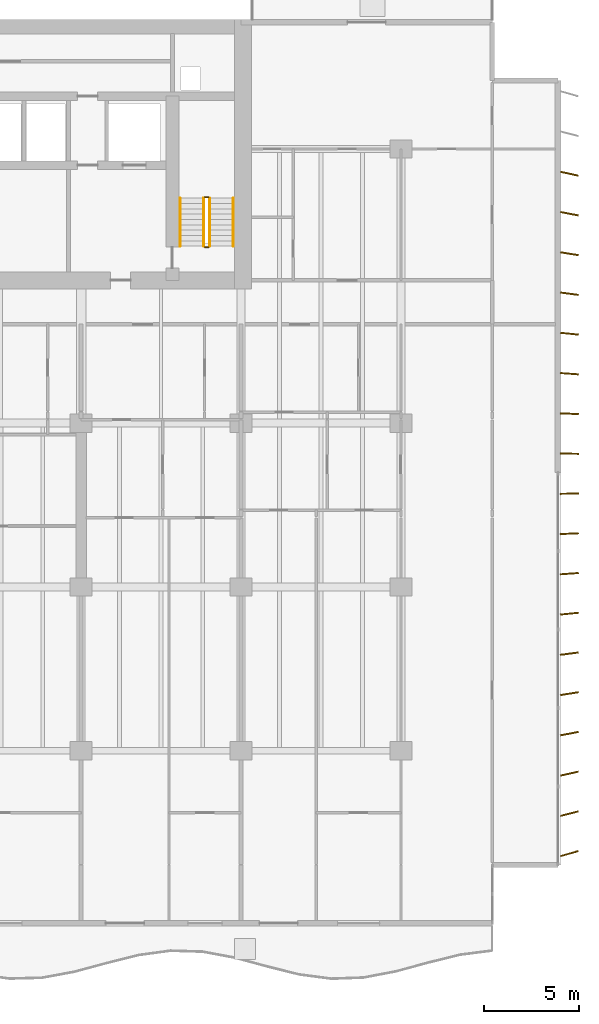
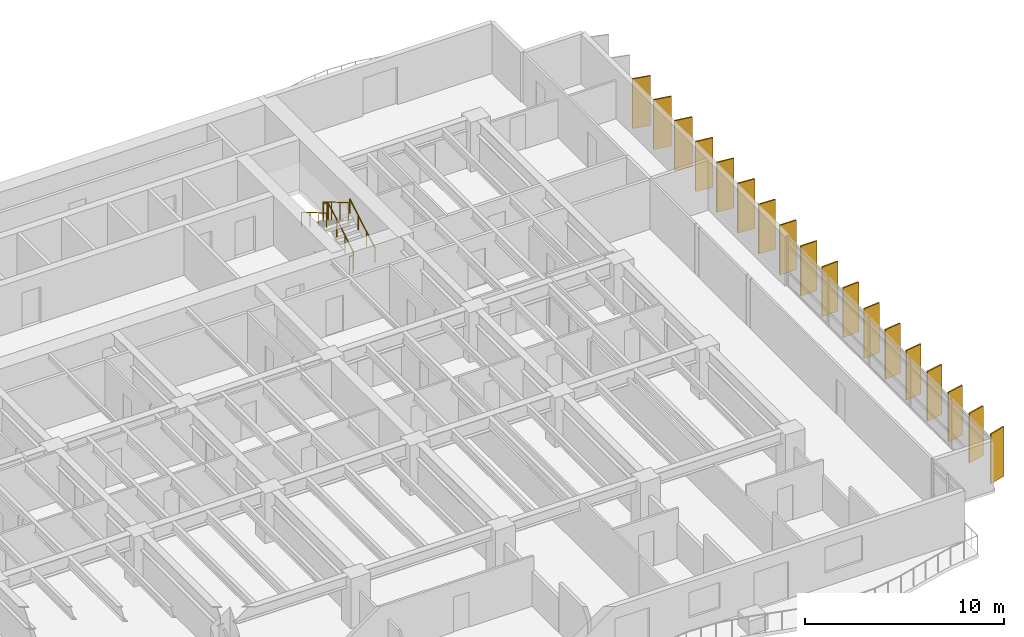
# One storey, part 16 of 17: 18 shading devices, 6 railings.
"""IFC4 building model written with IfcOpenShell, lengths in metres."""

import ifcopenshell
import ifcopenshell.guid

model = None  # the IFC model being written
_history = None  # IfcOwnerHistory: only IFC2X3 demands one
_inside = {}  # id of a spatial element -> (the spatial element, [elements in it])
_under = {}  # id of a project, library or spatial element -> (it, [spatial elements below it])
_declared = {}  # id of a project -> (the project, [libraries it declares])
_typed = {}  # id of a type object -> (the type object, [elements of that type])
_made_of = {}  # id of a material, layer set ... -> (it, [elements and type objects made of it])


def new_model(schema):
    """Start an empty IFC model of exactly this schema.

    Asked for "IFC4X3", IfcOpenShell would pick the latest addendum, in which some entities
    have other attributes; the version numbers below select the first issue.
    IFC2X3 requires an IfcOwnerHistory on every rooted entity: one is made here for all.
    """
    global model, _history
    if schema == "IFC4X3":
        model = ifcopenshell.file(schema_version=(4, 3, 0, 0))
    else:
        model = ifcopenshell.file(schema=schema)
    _inside.clear()
    _under.clear()
    _declared.clear()
    _typed.clear()
    _made_of.clear()
    _history = None
    if model.schema == "IFC2X3":
        org = make("IfcOrganization", Name="unknown")
        user = make(
            "IfcPersonAndOrganization",
            ThePerson=make("IfcPerson", FamilyName="unknown"),
            TheOrganization=org,
        )
        app = make(
            "IfcApplication",
            ApplicationDeveloper=org,
            Version="unknown",
            ApplicationFullName="unknown",
            ApplicationIdentifier="unknown",
        )
        _history = make(
            "IfcOwnerHistory",
            OwningUser=user,
            OwningApplication=app,
            ChangeAction="ADDED",
            CreationDate=0,
        )
    return model


def make(cls, **values):
    """One entity of the class cls with the attributes given. An attribute that is None is left unset."""
    return model.create_entity(
        cls, **{name: value for name, value in values.items() if value is not None}
    )


def rooted(cls, **values):
    """An entity with a GlobalId (a new one), such as an element, a storey or a relation."""
    return make(cls, GlobalId=ifcopenshell.guid.new(), OwnerHistory=_history, **values)


def si_unit(unit_type, name, prefix=None):
    """IfcSIUnit, for example si_unit("LENGTHUNIT", "METRE", prefix="MILLI")."""
    return make("IfcSIUnit", UnitType=unit_type, Prefix=prefix, Name=name)


def assignment(units):
    """IfcUnitAssignment: the units of a project."""
    return None if units is None else make("IfcUnitAssignment", Units=units)


def point(xyz):
    """IfcCartesianPoint."""
    return None if xyz is None else make("IfcCartesianPoint", Coordinates=xyz)


def direction(xyz):
    """IfcDirection."""
    return None if xyz is None else make("IfcDirection", DirectionRatios=xyz)


def frame(location, z_axis=None, x_axis=None):
    """IfcAxis2Placement3D, a coordinate frame: its origin and axes. An axis left out is left unset."""
    return make(
        "IfcAxis2Placement3D",
        Location=point(location),
        Axis=direction(z_axis),
        RefDirection=direction(x_axis),
    )


def frame_2d(location, x_axis=None):
    """IfcAxis2Placement2D, a coordinate frame in the plane: its origin and x axis."""
    return make(
        "IfcAxis2Placement2D", Location=point(location), RefDirection=direction(x_axis)
    )


def origin():
    """The frame at (0, 0, 0) with its axes left unset."""
    return frame((0.0, 0.0, 0.0))


def origin_2d():
    """The frame at (0, 0) in the plane with its x axis left unset."""
    return frame_2d((0.0, 0.0))


def place(relative_to, where):
    """IfcLocalPlacement: puts the frame where relative to a parent placement (None: the world)."""
    return make(
        "IfcLocalPlacement", PlacementRelTo=relative_to, RelativePlacement=where
    )


def context(
    kind, dimensions, precision=None, world=None, true_north=None, identifier=None
):
    """IfcGeometricRepresentationContext, for example the 3D "Model" context."""
    return make(
        "IfcGeometricRepresentationContext",
        ContextIdentifier=identifier,
        ContextType=kind,
        CoordinateSpaceDimension=dimensions,
        Precision=precision,
        WorldCoordinateSystem=world,
        TrueNorth=true_north,
    )


def subcontext(parent, identifier, kind, view, scale=None):
    """IfcGeometricRepresentationSubContext, for example "Body" below "Model"."""
    return make(
        "IfcGeometricRepresentationSubContext",
        ContextIdentifier=identifier,
        ContextType=kind,
        ParentContext=parent,
        TargetScale=scale,
        TargetView=view,
    )


def project(units=None, contexts=None):
    """IfcProject with its units and contexts."""
    return rooted(
        "IfcProject",
        Name="project",
        RepresentationContexts=contexts,
        UnitsInContext=assignment(units),
    )


def spatial(cls, under=None, at=None, **own):
    """A site, building, storey or space (cls), placed at a placement, below another one or the project."""
    s = rooted(cls, ObjectPlacement=at, **own)
    if under is not None:
        _under.setdefault(under.id(), (under, []))[1].append(s)
    return s


def profile(cls, at=None, kind="AREA", **sizes):
    """A parametric profile (cls). Its sizes go by their IFC names, for example OverallWidth=200.0."""
    return make(cls, ProfileType=kind, Position=at, **sizes)


def rectangle(**sizes):
    """IfcRectangleProfileDef."""
    return profile("IfcRectangleProfileDef", **sizes)


def circle(**sizes):
    """IfcCircleProfileDef."""
    return profile("IfcCircleProfileDef", **sizes)


def extrude(swept, where, along, depth):
    """IfcExtrudedAreaSolid: the profile swept, set in the frame where, extruded along a direction by depth."""
    return make(
        "IfcExtrudedAreaSolid",
        SweptArea=swept,
        Position=where,
        ExtrudedDirection=direction(along),
        Depth=depth,
    )


def shape(context_of_items, identifier, shape_type, items):
    """IfcShapeRepresentation: the items that make up one representation, for example the "Body"."""
    return make(
        "IfcShapeRepresentation",
        ContextOfItems=context_of_items,
        RepresentationIdentifier=identifier,
        RepresentationType=shape_type,
        Items=items,
    )


def material(Name=None, Category=None):
    """IfcMaterial."""
    return make("IfcMaterial", Name=Name, Category=Category)


def material_profile(
    of_material, cross_section, Name=None, Category=None, Priority=None
):
    """IfcMaterialProfile: a cross section and its material."""
    return make(
        "IfcMaterialProfile",
        Name=Name,
        Material=of_material,
        Profile=cross_section,
        Priority=Priority,
        Category=Category,
    )


def profile_set(profiles, Name=None, composite=None):
    """IfcMaterialProfileSet."""
    return make(
        "IfcMaterialProfileSet",
        Name=Name,
        MaterialProfiles=profiles,
        CompositeProfile=composite,
    )


def made_of(thing, what):
    """Note that an element or type object is made of a material, layer set ...; save() writes the relation."""
    if what is not None:
        _made_of.setdefault(what.id(), (what, []))[1].append(thing)
    return thing


def type_object(cls, material=None, **own):
    """A type object (cls), such as IfcWallType, which elements share."""
    return made_of(rooted(cls, **own), material)


def element(
    cls,
    number,
    at=None,
    inside=None,
    cuts=None,
    type_object=None,
    material=None,
    context=None,
    identifier="Body",
    shape_type=None,
    held_by="IfcProductDefinitionShape",
    body=None,
    shapes=None,
    **own,
):
    """One element of the class cls, such as IfcWall. Its Tag is "e" and its number.

    at: its placement. inside: the storey or other place that contains it. cuts: it is an
    opening in that element (IfcRelVoidsElement). A single representation is given by context,
    identifier, shape_type and body (its items); several are given by shapes. held_by: the class
    of the entity that holds the representations. save() writes the other relations.
    """
    e = rooted(cls, Tag="e%d" % number, ObjectPlacement=at, **own)
    if body is not None:
        shapes = [shape(context, identifier, shape_type, body)]
    if shapes is not None:
        e.Representation = make(held_by, Representations=shapes)
    if inside is not None:
        _inside.setdefault(inside.id(), (inside, []))[1].append(e)
    if cuts is not None:
        rooted(
            "IfcRelVoidsElement", RelatingBuildingElement=cuts, RelatedOpeningElement=e
        )
    if type_object is not None:
        _typed.setdefault(type_object.id(), (type_object, []))[1].append(e)
    return made_of(e, material)


def aggregate(whole, parts):
    """IfcRelAggregates: a whole, such as a stair, and the parts it consists of."""
    return rooted("IfcRelAggregates", RelatingObject=whole, RelatedObjects=parts)


def save(model, path):
    """Write the relations noted so far, then the file.

    IfcRelAggregates (storeys below a building ...), IfcRelContainedInSpatialStructure (elements
    in a storey), IfcRelDefinesByType, IfcRelAssociatesMaterial and IfcRelDeclares: one each for
    every whole, place, type object, material and project.
    """
    for whole, parts in _under.values():
        aggregate(whole, parts)
    for where, things in _inside.values():
        rooted(
            "IfcRelContainedInSpatialStructure",
            RelatedElements=things,
            RelatingStructure=where,
        )
    for kind, things in _typed.values():
        rooted("IfcRelDefinesByType", RelatedObjects=things, RelatingType=kind)
    for what, things in _made_of.values():
        rooted("IfcRelAssociatesMaterial", RelatedObjects=things, RelatingMaterial=what)
    for by, libraries in _declared.values():
        rooted("IfcRelDeclares", RelatingContext=by, RelatedDefinitions=libraries)
    model.write(path)


model = new_model("IFC4")

# Units and contexts
model_context = context("Model", 3, precision=1e-05, world=origin(), true_north=direction((0.0, 1.0)))
body_context = subcontext(model_context, "Body", "Model", "MODEL_VIEW")
ifc_project = project(units=[si_unit("LENGTHUNIT", "METRE"), si_unit("AREAUNIT", "SQUARE_METRE"), si_unit("VOLUMEUNIT", "CUBIC_METRE"), si_unit("PLANEANGLEUNIT", "RADIAN"), si_unit("MASSUNIT", "GRAM", prefix="KILO")], contexts=[model_context])

# Site, building, storey
site_placement = place(None, origin())
site = spatial("IfcSite", under=ifc_project, at=site_placement, CompositionType="ELEMENT")
building_placement = place(site_placement, origin())
building = spatial("IfcBuilding", under=site, at=building_placement, Name="Caelmar Bay Residences", CompositionType="ELEMENT")
storey_placement = place(building_placement, frame((0.0, 0.0, 53.10009765625)))
storey = spatial("IfcBuildingStorey", under=building, at=storey_placement, Name="L13", CompositionType="ELEMENT", Elevation=53.10009765625)

# Railings
ifc_material_1 = material(Name="Painted galvanized steel stair guard 1100 mm", Category="steel")
railing_type_1 = type_object("IfcRailingType", Name="RL-GRD-1100", PredefinedType="GUARDRAIL", material=ifc_material_1)
railing_1_placement = place(storey_placement, frame((57.85009765625, 38.699951171875, 0.164794921875)))
element("IfcRailing", 1, at=railing_1_placement, inside=storey, type_object=railing_type_1, Name="L13 ST2 stair guard 1", PredefinedType="GUARDRAIL", context=body_context, shape_type="SweptSolid", body=[
    extrude(circle(Radius=0.02392578125, at=origin_2d()), frame((0.0, 0.0, 1.076171875), z_axis=(0.0, 0.86152411907, 0.507716645641), x_axis=(-1.0, 0.0, 0.0)), (0.0, 0.0, 1.0), 2.925048828125),
    extrude(circle(Radius=0.02099609375, at=origin_2d()), origin(), (0.0, 0.0, 1.0), 1.052001953125),
    extrude(circle(Radius=0.02099609375, at=origin_2d()), frame((0.0, 0.840087890625, 0.4951171875)), (0.0, 0.0, 1.0), 1.052001953125),
    extrude(circle(Radius=0.02099609375, at=origin_2d()), frame((0.0, 1.679931640625, 0.989990234375)), (0.0, 0.0, 1.0), 1.052001953125),
    extrude(circle(Radius=0.02099609375, at=origin_2d()), frame((0.0, 2.52001953125, 1.485107421875)), (0.0, 0.0, 1.0), 1.052001953125),
])
railing_2_placement = place(storey_placement, frame((57.800048828125, 41.27001953125, 1.64990234375)))
element("IfcRailing", 2, at=railing_2_placement, inside=storey, type_object=railing_type_1, Name="L13 ST2 stair guard 2", PredefinedType="GUARDRAIL", context=body_context, shape_type="SweptSolid", body=[
    extrude(circle(Radius=0.02392578125, at=origin_2d()), frame((0.0, 0.0, 1.076171875), z_axis=(-1.0, 0.0, 0.0), x_axis=(0.0, -1.0, 0.0)), (0.0, 0.0, 1.0), 0.199951171875),
    extrude(circle(Radius=0.02099609375, at=origin_2d()), origin(), (0.0, 0.0, 1.0), 1.052001953125),
    extrude(circle(Radius=0.02099609375, at=origin_2d()), frame((-0.199951171875, 0.0, 0.0)), (0.0, 0.0, 1.0), 1.052001953125),
])
railing_3_placement = place(storey_placement, frame((57.550048828125, 41.219970703125, 1.81494140625)))
element("IfcRailing", 3, at=railing_3_placement, inside=storey, type_object=railing_type_1, Name="L13 ST2 stair guard 3", PredefinedType="GUARDRAIL", context=body_context, shape_type="SweptSolid", body=[
    extrude(circle(Radius=0.02392578125, at=origin_2d()), frame((0.0, 0.0, 1.076171875), z_axis=(0.0, -0.861560626758, 0.507654692109), x_axis=(1.0, 0.0, 0.0)), (0.0, 0.0, 1.0), 2.925048828125),
    extrude(circle(Radius=0.02099609375, at=origin_2d()), origin(), (0.0, 0.0, 1.0), 1.052001953125),
    extrude(circle(Radius=0.02099609375, at=origin_2d()), frame((0.0, -0.840087890625, 0.494873046875)), (0.0, 0.0, 1.0), 1.052001953125),
    extrude(circle(Radius=0.02099609375, at=origin_2d()), frame((0.0, -1.679931640625, 0.989990234375)), (0.0, 0.0, 1.0), 1.052001953125),
    extrude(circle(Radius=0.02099609375, at=origin_2d()), frame((0.0, -2.52001953125, 1.48486328125)), (0.0, 0.0, 1.0), 1.052001953125),
])
railing_4_placement = place(storey_placement, frame((57.800048828125, 38.64990234375, 0.0)))
element("IfcRailing", 4, at=railing_4_placement, inside=storey, type_object=railing_type_1, Name="L13 ST2 stair guard 4", PredefinedType="GUARDRAIL", context=body_context, shape_type="SweptSolid", body=[
    extrude(circle(Radius=0.02392578125, at=origin_2d()), frame((0.0, 0.0, 1.076171875), z_axis=(-1.0, 0.0, 0.0), x_axis=(0.0, -1.0, 0.0)), (0.0, 0.0, 1.0), 0.199951171875),
    extrude(circle(Radius=0.02099609375, at=origin_2d()), origin(), (0.0, 0.0, 1.0), 1.052001953125),
    extrude(circle(Radius=0.02099609375, at=origin_2d()), frame((-0.199951171875, 0.0, 0.0)), (0.0, 0.0, 1.0), 1.052001953125),
])
ifc_material_2 = material(Name="Brushed bronze stainless-steel tubular handrail 900 mm", Category="steel")
railing_type_2 = type_object("IfcRailingType", Name="RL-HND-900", PredefinedType="HANDRAIL", material=ifc_material_2)
railing_5_placement = place(storey_placement, frame((59.10009765625, 38.699951171875, 0.164794921875)))
element("IfcRailing", 5, at=railing_5_placement, inside=storey, type_object=railing_type_2, Name="L13 ST2 stair handrail 1", PredefinedType="HANDRAIL", context=body_context, shape_type="SweptSolid", body=[
    extrude(circle(Radius=0.02392578125, at=origin_2d()), frame((0.0, 0.0, 0.8759765625), z_axis=(0.0, 0.86152411907, 0.507716645641), x_axis=(-1.0, 0.0, 0.0)), (0.0, 0.0, 1.0), 2.925048828125),
    extrude(circle(Radius=0.02099609375, at=origin_2d()), origin(), (0.0, 0.0, 1.0), 0.851806640625),
    extrude(circle(Radius=0.02099609375, at=origin_2d()), frame((0.0, 0.840087890625, 0.4951171875)), (0.0, 0.0, 1.0), 0.851806640625),
    extrude(circle(Radius=0.02099609375, at=origin_2d()), frame((0.0, 1.679931640625, 0.989990234375)), (0.0, 0.0, 1.0), 0.851806640625),
    extrude(circle(Radius=0.02099609375, at=origin_2d()), frame((0.0, 2.52001953125, 1.485107421875)), (0.0, 0.0, 1.0), 0.851806640625),
])
railing_6_placement = place(storey_placement, frame((56.300048828125, 41.219970703125, 1.81494140625)))
element("IfcRailing", 6, at=railing_6_placement, inside=storey, type_object=railing_type_2, Name="L13 ST2 stair handrail 2", PredefinedType="HANDRAIL", context=body_context, shape_type="SweptSolid", body=[
    extrude(circle(Radius=0.02392578125, at=origin_2d()), frame((0.0, 0.0, 0.8759765625), z_axis=(0.0, -0.861560626758, 0.507654692109), x_axis=(1.0, 0.0, 0.0)), (0.0, 0.0, 1.0), 2.925048828125),
    extrude(circle(Radius=0.02099609375, at=origin_2d()), origin(), (0.0, 0.0, 1.0), 0.851806640625),
    extrude(circle(Radius=0.02099609375, at=origin_2d()), frame((0.0, -0.840087890625, 0.494873046875)), (0.0, 0.0, 1.0), 0.851806640625),
    extrude(circle(Radius=0.02099609375, at=origin_2d()), frame((0.0, -1.679931640625, 0.989990234375)), (0.0, 0.0, 1.0), 0.851806640625),
    extrude(circle(Radius=0.02099609375, at=origin_2d()), frame((0.0, -2.52001953125, 1.48486328125)), (0.0, 0.0, 1.0), 0.851806640625),
])

# Shading devices
ifc_material_3 = material(Name="Anodised architectural bronze aluminium 6063-T6", Category="aluminium")
ifc_material_profile = material_profile(ifc_material_3, rectangle(XDim=0.074951171875, YDim=0.949951171875, at=origin_2d()), Name="BRONZE-FIN-75X950")
ifc_profile_set = profile_set([ifc_material_profile], Name="Anodised architectural bronze aluminium 6063-T6")
shading_device_type = type_object("IfcShadingDeviceType", Name="SHD-FIN-950", PredefinedType="USERDEFINED", material=ifc_profile_set)
for number, where, z_axis, x_axis, name in (
    (7, (76.75, 6.800048828125, 0.0), (0.0, 0.0, 1.0), (-0.275637355817, 0.961261695938, 0.0), "L13 East Bronze Solar Fin 1"),
    (8, (76.75, 8.89990234375, 0.0), (0.0, 0.0, 1.0), (-0.247337247968, 0.968929453452, 0.0), "L13 East Bronze Solar Fin 2"),
    (9, (76.75, 11.0, 0.0), (0.0, 0.0, 1.0), (-0.218654200292, 0.975802408633, 0.0), "L13 East Bronze Solar Fin 3"),
    (10, (76.75, 13.10009765625, 0.0), (0.0, 0.0, 1.0), (-0.189952291512, 0.981793321911, 0.0), "L13 East Bronze Solar Fin 4"),
    (11, (76.75, 15.199951171875, 0.0), (0.0, 0.0, 1.0), (-0.160914826518, 0.986968296657, 0.0), "L13 East Bronze Solar Fin 5"),
    (12, (76.75, 17.300048828125, 0.0), (0.0, 0.0, 1.0), (-0.131910382711, 0.991261646052, 0.0), "L13 East Bronze Solar Fin 6"),
    (13, (76.75, 19.39990234375, 0.0), (0.0, 0.0, 1.0), (-0.10261892683, 0.994720742649, 0.0), "L13 East Bronze Solar Fin 7"),
    (14, (76.75, 21.5, 0.0), (0.0, 0.0, 1.0), (-0.073412260224, 0.997301679558, 0.0), "L13 East Bronze Solar Fin 8"),
    (15, (76.75, 23.60009765625, 0.0), (0.0, 0.0, 1.0), (-0.044142481788, 0.999025245578, 0.0), "L13 East Bronze Solar Fin 9"),
    (16, (76.75, 25.699951171875, 0.0), (0.0, 0.0, 1.0), (-0.01466024053, 0.999892532899, 0.0), "L13 East Bronze Solar Fin 10"),
    (17, (76.75, 27.800048828125, 0.0), (0.0, 0.0, 1.0), (0.01466024053, 0.999892532899, 0.0), "L13 East Bronze Solar Fin 11"),
    (18, (76.75, 29.89990234375, 0.0), (0.0, 0.0, 1.0), (0.044142481788, 0.999025245578, 0.0), "L13 East Bronze Solar Fin 12"),
    (19, (76.75, 32.0, 0.0), (0.0, 0.0, 1.0), (0.073412260224, 0.997301679558, 0.0), "L13 East Bronze Solar Fin 13"),
    (20, (76.75, 34.10009765625, 0.0), (0.0, 0.0, 1.0), (0.10261892683, 0.994720742649, 0.0), "L13 East Bronze Solar Fin 14"),
    (21, (76.75, 36.199951171875, 0.0), (0.0, 0.0, 1.0), (0.131910382711, 0.991261646052, 0.0), "L13 East Bronze Solar Fin 15"),
    (22, (76.75, 38.300048828125, 0.0), (0.0, 0.0, 1.0), (0.160914826518, 0.986968296657, 0.0), "L13 East Bronze Solar Fin 16"),
    (23, (76.75, 40.39990234375, 0.0), (0.0, 0.0, 1.0), (0.189952291512, 0.981793321911, 0.0), "L13 East Bronze Solar Fin 17"),
    (24, (76.75, 42.5, 0.0), (0.0, 0.0, 1.0), (0.218654200292, 0.975802408633, 0.0), "L13 East Bronze Solar Fin 18"),
):
    element("IfcShadingDevice", number, at=place(storey_placement, frame(where, z_axis=z_axis, x_axis=x_axis)), inside=storey, type_object=shading_device_type, Name=name, ObjectType="FIN", PredefinedType="USERDEFINED", context=body_context, shape_type="SweptSolid", body=[
        extrude(rectangle(XDim=0.074951171875, YDim=0.949951171875, at=origin_2d()), origin(), (0.0, 0.0, 1.0), 3.0498046875),
    ])

save(model, "model.ifc")
